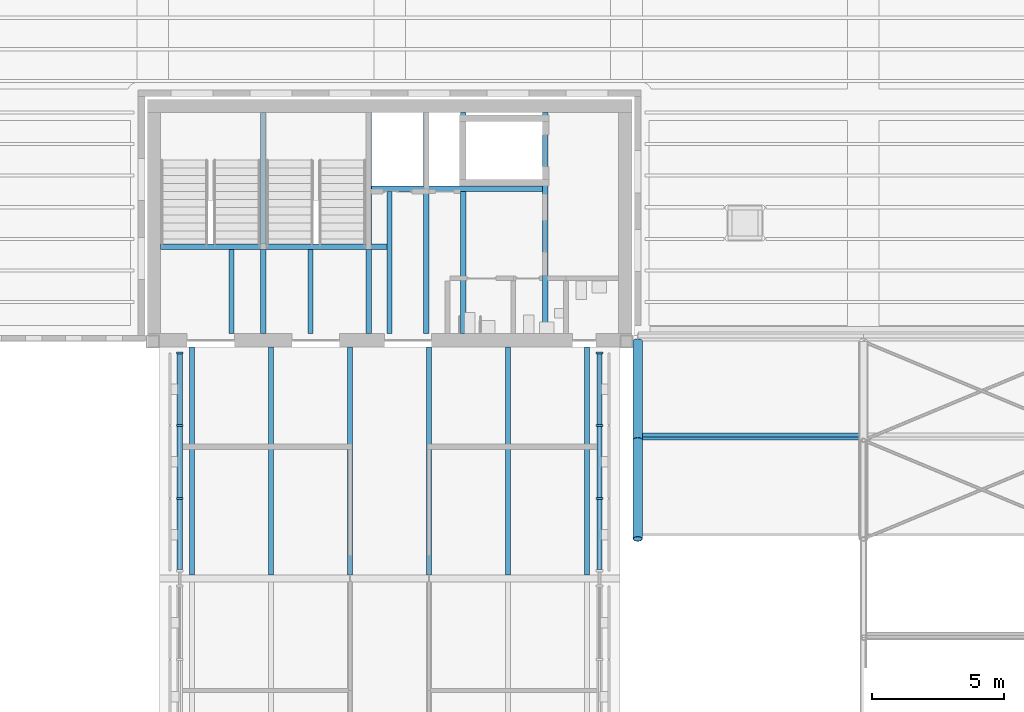
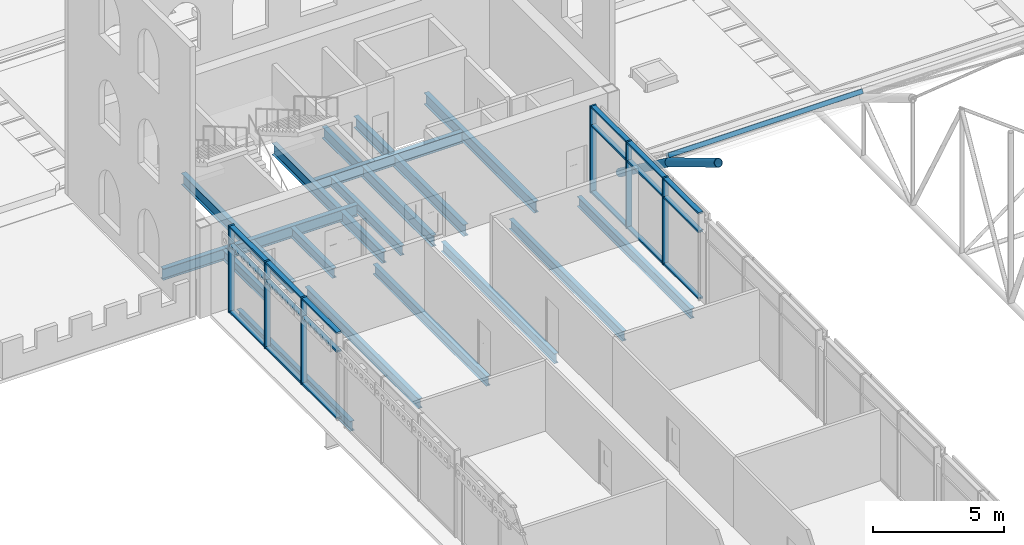
# One storey, part 38 of 153: 27 members, 20 beams, 2 elements without a shape of their own.
"""IFC4 building model written with IfcOpenShell, lengths in metres."""

from ifc_helpers import new_model, si_unit, direction, frame, origin, origin_2d, place, context, subcontext, project, spatial, rectangle, hollow_rectangle, hollow_circle, i_section, extrude, material, material_profile, profile_set, type_object, element, aggregate, save


model = new_model("IFC4")

# Units and contexts
model_context = context("Model", 3, precision=1e-05, world=origin(), true_north=direction((0.0, 1.0)))
body_context = subcontext(model_context, "Body", "Model", "MODEL_VIEW")
ifc_project = project(units=[si_unit("LENGTHUNIT", "METRE"), si_unit("AREAUNIT", "SQUARE_METRE"), si_unit("VOLUMEUNIT", "CUBIC_METRE"), si_unit("PLANEANGLEUNIT", "RADIAN"), si_unit("MASSUNIT", "GRAM", prefix="KILO")], contexts=[model_context])

# Site, building, storey
site_placement = place(None, origin())
site = spatial("IfcSite", under=ifc_project, at=site_placement, CompositionType="ELEMENT")
building_placement = place(site_placement, origin())
building = spatial("IfcBuilding", under=site, at=building_placement, Name="Baradari Gate Terminus", CompositionType="ELEMENT")
storey_placement = place(building_placement, frame((0.0, 0.0, 11.699951171875)))
storey = spatial("IfcBuildingStorey", under=building, at=storey_placement, Name="L02", CompositionType="ELEMENT", Elevation=11.699951171875)

# Beams
ifc_material_1 = material(Name="Steel S355", Category="steel")
ifc_material_profile_1 = material_profile(ifc_material_1, i_section(OverallWidth=0.19140625, OverallDepth=0.4599609375, WebThickness=0.010009765625, FlangeThickness=0.01611328125, FilletRadius=0.01025390625, at=origin_2d()), Name="UB 457x191x82")
ifc_profile_set_1 = profile_set([ifc_material_profile_1], Name="Steel S355")
beam_type_1 = type_object("IfcBeamType", Name="Core floor beam B66 UB 457x191x82", PredefinedType="BEAM", material=ifc_profile_set_1)
for number, where, z_axis, x_axis, name in (
    (1, (75.0, 81.300048828125, -0.3798828125), (0.0, 1.0, 0.0), (-1.0, 0.0, 0.0), "Core floor beam B66 75:81.3-84.495 L02"),
    (2, (78.0, 81.300048828125, -0.3798828125), (0.0, 1.0, 0.0), (-1.0, 0.0, 0.0), "Core floor beam B66 78:81.3-84.495 L02"),
):
    element("IfcBeam", number, at=place(storey_placement, frame(where, z_axis=z_axis, x_axis=x_axis)), inside=storey, type_object=beam_type_1, Name=name, PredefinedType="BEAM", context=body_context, shape_type="SweptSolid", body=[
        extrude(i_section(OverallWidth=0.19140625, OverallDepth=0.4599609375, WebThickness=0.010009765625, FlangeThickness=0.01611328125, FilletRadius=0.01025390625, at=origin_2d()), origin(), (0.0, 0.0, 1.0), 3.1953125),
    ])
beam_1_placement = place(storey_placement, frame((81.0, 81.300048828125, -0.3798828125), z_axis=(0.0, 1.0, 0.0), x_axis=(-1.0, 0.0, 0.0)))
element("IfcBeam", 3, at=beam_1_placement, inside=storey, type_object=beam_type_1, Name="Core floor beam B66 10:81.3-86.695 L02", PredefinedType="BEAM", context=body_context, shape_type="SweptSolid", body=[
    extrude(i_section(OverallWidth=0.19140625, OverallDepth=0.4599609375, WebThickness=0.010009765625, FlangeThickness=0.01611328125, FilletRadius=0.01025390625, at=origin_2d()), origin(), (0.0, 0.0, 1.0), 5.395263671875),
])
ifc_material_2 = material(Name="Steel S355", Category="steel")
ifc_material_profile_2 = material_profile(ifc_material_2, i_section(OverallWidth=0.209228515625, OverallDepth=0.533203125, WebThickness=0.010009765625, FlangeThickness=0.015625, FilletRadius=0.0126953125, at=origin_2d()), Name="UB 533x210x92")
ifc_profile_set_2 = profile_set([ifc_material_profile_2], Name="Steel S355")
beam_type_2 = type_object("IfcBeamType", Name="Core floor trimmer beam B65 UB 533x210x92", PredefinedType="BEAM", material=ifc_profile_set_2)
beam_2_placement = place(storey_placement, frame((72.300048828125, 84.60009765625, -0.41650390625), z_axis=(1.0, 0.0, 0.0), x_axis=(0.0, 1.0, 0.0)))
element("IfcBeam", 4, at=beam_2_placement, inside=storey, type_object=beam_type_2, Name="Core floor trimmer beam B65 84.6:72.3-80.904 L02", PredefinedType="BEAM", context=body_context, shape_type="SweptSolid", body=[
    extrude(i_section(OverallWidth=0.209228515625, OverallDepth=0.533203125, WebThickness=0.010009765625, FlangeThickness=0.015625, FilletRadius=0.0126953125, at=origin_2d()), origin(), (0.0, 0.0, 1.0), 8.604248046875),
])
beam_3_placement = place(storey_placement, frame((80.3046875, 86.800048828125, -0.41650390625), z_axis=(1.0, 0.0, 0.0), x_axis=(0.0, 1.0, 0.0)))
element("IfcBeam", 5, at=beam_3_placement, inside=storey, type_object=beam_type_2, Name="Core floor trimmer beam B65 86.8:80.305-86.8 L02", PredefinedType="BEAM", context=body_context, shape_type="SweptSolid", body=[
    extrude(i_section(OverallWidth=0.209228515625, OverallDepth=0.533203125, WebThickness=0.010009765625, FlangeThickness=0.015625, FilletRadius=0.0126953125, at=origin_2d()), origin(), (0.0, 0.0, 1.0), 6.49560546875),
])
beam_4_placement = place(storey_placement, frame((86.905029296875, 81.300048828125, -0.41650390625), z_axis=(0.0, 1.0, 0.0), x_axis=(-1.0, 0.0, 0.0)))
element("IfcBeam", 6, at=beam_4_placement, inside=storey, type_object=beam_type_2, Name="Core floor trimmer beam B65 86.905:81.3-89.7 L02", PredefinedType="BEAM", context=body_context, shape_type="SweptSolid", body=[
    extrude(i_section(OverallWidth=0.209228515625, OverallDepth=0.533203125, WebThickness=0.010009765625, FlangeThickness=0.015625, FilletRadius=0.0126953125, at=origin_2d()), origin(), (0.0, 0.0, 1.0), 8.39990234375),
])
beam_5_placement = place(storey_placement, frame((76.199951171875, 81.300048828125, -0.41650390625), z_axis=(0.0, 1.0, 0.0), x_axis=(-1.0, 0.0, 0.0)))
element("IfcBeam", 7, at=beam_5_placement, inside=storey, type_object=beam_type_2, Name="Core floor trimmer beam B65 76.2:81.3-84.495 L02", PredefinedType="BEAM", context=body_context, shape_type="SweptSolid", body=[
    extrude(i_section(OverallWidth=0.209228515625, OverallDepth=0.533203125, WebThickness=0.010009765625, FlangeThickness=0.015625, FilletRadius=0.0126953125, at=origin_2d()), origin(), (0.0, 0.0, 1.0), 3.1953125),
])
beam_6_placement = place(storey_placement, frame((76.199951171875, 84.70458984375, -0.41650390625), z_axis=(0.0, 1.0, 0.0), x_axis=(-1.0, 0.0, 0.0)))
element("IfcBeam", 8, at=beam_6_placement, inside=storey, type_object=beam_type_2, Name="Core floor trimmer beam B65 76.2:84.705-89.7 L02", PredefinedType="BEAM", context=body_context, shape_type="SweptSolid", body=[
    extrude(i_section(OverallWidth=0.209228515625, OverallDepth=0.533203125, WebThickness=0.010009765625, FlangeThickness=0.015625, FilletRadius=0.0126953125, at=origin_2d()), origin(), (0.0, 0.0, 1.0), 4.995361328125),
])
beam_7_placement = place(storey_placement, frame((80.199951171875, 81.300048828125, -0.41650390625), z_axis=(0.0, 1.0, 0.0), x_axis=(-1.0, 0.0, 0.0)))
element("IfcBeam", 9, at=beam_7_placement, inside=storey, type_object=beam_type_2, Name="Core floor trimmer beam B65 80.2:81.3-84.495 L02", PredefinedType="BEAM", context=body_context, shape_type="SweptSolid", body=[
    extrude(i_section(OverallWidth=0.209228515625, OverallDepth=0.533203125, WebThickness=0.010009765625, FlangeThickness=0.015625, FilletRadius=0.0126953125, at=origin_2d()), origin(), (0.0, 0.0, 1.0), 3.1953125),
])
beam_8_placement = place(storey_placement, frame((80.199951171875, 84.70458984375, -0.41650390625), z_axis=(0.0, 1.0, 0.0), x_axis=(-1.0, 0.0, 0.0)))
element("IfcBeam", 10, at=beam_8_placement, inside=storey, type_object=beam_type_2, Name="Core floor trimmer beam B65 80.2:84.705-89.7 L02", PredefinedType="BEAM", context=body_context, shape_type="SweptSolid", body=[
    extrude(i_section(OverallWidth=0.209228515625, OverallDepth=0.533203125, WebThickness=0.010009765625, FlangeThickness=0.015625, FilletRadius=0.0126953125, at=origin_2d()), origin(), (0.0, 0.0, 1.0), 4.995361328125),
])
beam_9_placement = place(storey_placement, frame((82.39990234375, 81.300048828125, -0.41650390625), z_axis=(0.0, 1.0, 0.0), x_axis=(-1.0, 0.0, 0.0)))
element("IfcBeam", 11, at=beam_9_placement, inside=storey, type_object=beam_type_2, Name="Core floor trimmer beam B65 82.4:81.3-86.695 L02", PredefinedType="BEAM", context=body_context, shape_type="SweptSolid", body=[
    extrude(i_section(OverallWidth=0.209228515625, OverallDepth=0.533203125, WebThickness=0.010009765625, FlangeThickness=0.015625, FilletRadius=0.0126953125, at=origin_2d()), origin(), (0.0, 0.0, 1.0), 5.395263671875),
])
beam_10_placement = place(storey_placement, frame((82.39990234375, 86.90478515625, -0.41650390625), z_axis=(0.0, 1.0, 0.0), x_axis=(-1.0, 0.0, 0.0)))
element("IfcBeam", 12, at=beam_10_placement, inside=storey, type_object=beam_type_2, Name="Core floor trimmer beam B65 82.4:86.905-89.7 L02", PredefinedType="BEAM", context=body_context, shape_type="SweptSolid", body=[
    extrude(i_section(OverallWidth=0.209228515625, OverallDepth=0.533203125, WebThickness=0.010009765625, FlangeThickness=0.015625, FilletRadius=0.0126953125, at=origin_2d()), origin(), (0.0, 0.0, 1.0), 2.795166015625),
])
beam_11_placement = place(storey_placement, frame((83.800048828125, 81.300048828125, -0.41650390625), z_axis=(0.0, 1.0, 0.0), x_axis=(-1.0, 0.0, 0.0)))
element("IfcBeam", 13, at=beam_11_placement, inside=storey, type_object=beam_type_2, Name="Core floor trimmer beam B65 83.8:81.3-86.695 L02", PredefinedType="BEAM", context=body_context, shape_type="SweptSolid", body=[
    extrude(i_section(OverallWidth=0.209228515625, OverallDepth=0.533203125, WebThickness=0.010009765625, FlangeThickness=0.015625, FilletRadius=0.0126953125, at=origin_2d()), origin(), (0.0, 0.0, 1.0), 5.395263671875),
])
beam_12_placement = place(storey_placement, frame((83.800048828125, 86.90478515625, -0.41650390625), z_axis=(0.0, 1.0, 0.0), x_axis=(-1.0, 0.0, 0.0)))
element("IfcBeam", 14, at=beam_12_placement, inside=storey, type_object=beam_type_2, Name="Core floor trimmer beam B65 83.8:86.905-89.7 L02", PredefinedType="BEAM", context=body_context, shape_type="SweptSolid", body=[
    extrude(i_section(OverallWidth=0.209228515625, OverallDepth=0.533203125, WebThickness=0.010009765625, FlangeThickness=0.015625, FilletRadius=0.0126953125, at=origin_2d()), origin(), (0.0, 0.0, 1.0), 2.795166015625),
])

# Curtain wall, members
ifc_material_3 = material(Name="Aluminium 6063-T6", Category="aluminium")
curtain_wall_type = type_object("IfcCurtainWallType", Name="Curtain wall CW-3 gate face, office floors", PredefinedType="NOTDEFINED", material=ifc_material_3)
curtain_wall_1_placement = place(storey_placement, origin())
curtain_wall_1 = element("IfcCurtainWall", 15, at=curtain_wall_1_placement, inside=storey, type_object=curtain_wall_type, Name="Curtain wall CW-3 gate west face L02 bay 5", PredefinedType="NOTDEFINED")
ifc_material_4 = material(Name="Aluminium 6063-T6", Category="aluminium")
ifc_material_profile_3 = material_profile(ifc_material_4, rectangle(XDim=0.25, YDim=0.080078125, at=origin_2d()), Name="CM-3 80X250")
ifc_profile_set_3 = profile_set([ifc_material_profile_3], Name="Aluminium 6063-T6")
member_type_1 = type_object("IfcMemberType", Name="Curtain wall mullion CM-3 80x250", PredefinedType="MULLION", material=ifc_profile_set_3)
member_1_placement = place(storey_placement, frame((73.02490234375, 75.033447265625, 0.0), z_axis=(0.0, 0.0, 1.0), x_axis=(-1.0, 0.0, 0.0)))
member_1 = element("IfcMember", 16, at=member_1_placement, type_object=member_type_1, Name="CW-3 mullion 2", PredefinedType="MULLION", context=body_context, shape_type="SweptSolid", body=[
    extrude(rectangle(XDim=0.25, YDim=0.080078125, at=origin_2d()), origin(), (0.0, 0.0, 1.0), 4.050048828125),
])
member_2_placement = place(storey_placement, frame((73.02490234375, 77.816650390625, 0.0), z_axis=(0.0, 0.0, 1.0), x_axis=(-1.0, 0.0, 0.0)))
member_2 = element("IfcMember", 17, at=member_2_placement, type_object=member_type_1, Name="CW-3 mullion 3", PredefinedType="MULLION", context=body_context, shape_type="SweptSolid", body=[
    extrude(rectangle(XDim=0.25, YDim=0.080078125, at=origin_2d()), origin(), (0.0, 0.0, 1.0), 4.050048828125),
])
member_3_placement = place(storey_placement, frame((73.02490234375, 80.56005859375, 0.0), z_axis=(0.0, 0.0, 1.0), x_axis=(-1.0, 0.0, 0.0)))
member_3 = element("IfcMember", 18, at=member_3_placement, type_object=member_type_1, Name="CW-3 mullion 4", PredefinedType="MULLION", context=body_context, shape_type="SweptSolid", body=[
    extrude(rectangle(XDim=0.25, YDim=0.080078125, at=origin_2d()), origin(), (0.0, 0.0, 1.0), 4.050048828125),
])

curtain_wall_2_placement = place(storey_placement, origin())
curtain_wall_2 = element("IfcCurtainWall", 19, at=curtain_wall_2_placement, inside=storey, type_object=curtain_wall_type, Name="Curtain wall CW-3 gate east face L02 bay 5", PredefinedType="NOTDEFINED")
member_4_placement = place(storey_placement, frame((88.97509765625, 75.033447265625, 0.0), z_axis=(0.0, 0.0, 1.0), x_axis=(-1.0, 0.0, 0.0)))
member_4 = element("IfcMember", 20, at=member_4_placement, type_object=member_type_1, Name="CW-3 mullion 2", PredefinedType="MULLION", context=body_context, shape_type="SweptSolid", body=[
    extrude(rectangle(XDim=0.25, YDim=0.080078125, at=origin_2d()), origin(), (0.0, 0.0, 1.0), 4.050048828125),
])
member_5_placement = place(storey_placement, frame((88.97509765625, 77.816650390625, 0.0), z_axis=(0.0, 0.0, 1.0), x_axis=(-1.0, 0.0, 0.0)))
member_5 = element("IfcMember", 21, at=member_5_placement, type_object=member_type_1, Name="CW-3 mullion 3", PredefinedType="MULLION", context=body_context, shape_type="SweptSolid", body=[
    extrude(rectangle(XDim=0.25, YDim=0.080078125, at=origin_2d()), origin(), (0.0, 0.0, 1.0), 4.050048828125),
])
member_6_placement = place(storey_placement, frame((88.97509765625, 80.56005859375, 0.0), z_axis=(0.0, 0.0, 1.0), x_axis=(-1.0, 0.0, 0.0)))
member_6 = element("IfcMember", 22, at=member_6_placement, type_object=member_type_1, Name="CW-3 mullion 4", PredefinedType="MULLION", context=body_context, shape_type="SweptSolid", body=[
    extrude(rectangle(XDim=0.25, YDim=0.080078125, at=origin_2d()), origin(), (0.0, 0.0, 1.0), 4.050048828125),
])

# Member
ifc_material_5 = material(Name="Aluminium 6063-T6", Category="aluminium")
ifc_material_profile_4 = material_profile(ifc_material_5, rectangle(XDim=0.199951171875, YDim=0.080078125, at=origin_2d()), Name="CT-3 80X200")
ifc_profile_set_4 = profile_set([ifc_material_profile_4], Name="Aluminium 6063-T6")
member_type_2 = type_object("IfcMemberType", Name="Curtain wall transom CT-3 80x200", PredefinedType="USERDEFINED", material=ifc_profile_set_4)
member_7_placement = place(storey_placement, frame((73.02490234375, 72.330078125, 0.0400390625), z_axis=(0.0, 1.0, 0.0), x_axis=(-1.0, 0.0, 0.0)))
member_7 = element("IfcMember", 23, at=member_7_placement, type_object=member_type_2, Name="CW-3 transom 1.1", ObjectType="TRANSOM", PredefinedType="USERDEFINED", context=body_context, shape_type="SweptSolid", body=[
    extrude(rectangle(XDim=0.199951171875, YDim=0.080078125, at=origin_2d()), origin(), (0.0, 0.0, 1.0), 2.663330078125),
])

member_8_placement = place(storey_placement, frame((73.02490234375, 72.330078125, 3.150146484375), z_axis=(0.0, 1.0, 0.0), x_axis=(-1.0, 0.0, 0.0)))
member_8 = element("IfcMember", 24, at=member_8_placement, type_object=member_type_2, Name="CW-3 transom 1.2", ObjectType="TRANSOM", PredefinedType="USERDEFINED", context=body_context, shape_type="SweptSolid", body=[
    extrude(rectangle(XDim=0.199951171875, YDim=0.080078125, at=origin_2d()), origin(), (0.0, 0.0, 1.0), 2.663330078125),
])

member_9_placement = place(storey_placement, frame((73.02490234375, 72.330078125, 4.010009765625), z_axis=(0.0, 1.0, 0.0), x_axis=(-1.0, 0.0, 0.0)))
member_9 = element("IfcMember", 25, at=member_9_placement, type_object=member_type_2, Name="CW-3 transom 1.3", ObjectType="TRANSOM", PredefinedType="USERDEFINED", context=body_context, shape_type="SweptSolid", body=[
    extrude(rectangle(XDim=0.199951171875, YDim=0.080078125, at=origin_2d()), origin(), (0.0, 0.0, 1.0), 2.663330078125),
])

member_10_placement = place(storey_placement, frame((73.02490234375, 75.0732421875, 0.0400390625), z_axis=(0.0, 1.0, 0.0), x_axis=(-1.0, 0.0, 0.0)))
member_10 = element("IfcMember", 26, at=member_10_placement, type_object=member_type_2, Name="CW-3 transom 2.1", ObjectType="TRANSOM", PredefinedType="USERDEFINED", context=body_context, shape_type="SweptSolid", body=[
    extrude(rectangle(XDim=0.199951171875, YDim=0.080078125, at=origin_2d()), origin(), (0.0, 0.0, 1.0), 2.703369140625),
])

member_11_placement = place(storey_placement, frame((73.02490234375, 75.0732421875, 3.150146484375), z_axis=(0.0, 1.0, 0.0), x_axis=(-1.0, 0.0, 0.0)))
member_11 = element("IfcMember", 27, at=member_11_placement, type_object=member_type_2, Name="CW-3 transom 2.2", ObjectType="TRANSOM", PredefinedType="USERDEFINED", context=body_context, shape_type="SweptSolid", body=[
    extrude(rectangle(XDim=0.199951171875, YDim=0.080078125, at=origin_2d()), origin(), (0.0, 0.0, 1.0), 2.703369140625),
])

member_12_placement = place(storey_placement, frame((73.02490234375, 75.0732421875, 4.010009765625), z_axis=(0.0, 1.0, 0.0), x_axis=(-1.0, 0.0, 0.0)))
member_12 = element("IfcMember", 28, at=member_12_placement, type_object=member_type_2, Name="CW-3 transom 2.3", ObjectType="TRANSOM", PredefinedType="USERDEFINED", context=body_context, shape_type="SweptSolid", body=[
    extrude(rectangle(XDim=0.199951171875, YDim=0.080078125, at=origin_2d()), origin(), (0.0, 0.0, 1.0), 2.703369140625),
])

member_13_placement = place(storey_placement, frame((73.02490234375, 77.856689453125, 0.0400390625), z_axis=(0.0, 1.0, 0.0), x_axis=(-1.0, 0.0, 0.0)))
member_13 = element("IfcMember", 29, at=member_13_placement, type_object=member_type_2, Name="CW-3 transom 3.1", ObjectType="TRANSOM", PredefinedType="USERDEFINED", context=body_context, shape_type="SweptSolid", body=[
    extrude(rectangle(XDim=0.199951171875, YDim=0.080078125, at=origin_2d()), origin(), (0.0, 0.0, 1.0), 2.663330078125),
])

member_14_placement = place(storey_placement, frame((73.02490234375, 77.856689453125, 3.150146484375), z_axis=(0.0, 1.0, 0.0), x_axis=(-1.0, 0.0, 0.0)))
member_14 = element("IfcMember", 30, at=member_14_placement, type_object=member_type_2, Name="CW-3 transom 3.2", ObjectType="TRANSOM", PredefinedType="USERDEFINED", context=body_context, shape_type="SweptSolid", body=[
    extrude(rectangle(XDim=0.199951171875, YDim=0.080078125, at=origin_2d()), origin(), (0.0, 0.0, 1.0), 2.663330078125),
])

member_15_placement = place(storey_placement, frame((73.02490234375, 77.856689453125, 4.010009765625), z_axis=(0.0, 1.0, 0.0), x_axis=(-1.0, 0.0, 0.0)))
member_15 = element("IfcMember", 31, at=member_15_placement, type_object=member_type_2, Name="CW-3 transom 3.3", ObjectType="TRANSOM", PredefinedType="USERDEFINED", context=body_context, shape_type="SweptSolid", body=[
    extrude(rectangle(XDim=0.199951171875, YDim=0.080078125, at=origin_2d()), origin(), (0.0, 0.0, 1.0), 2.663330078125),
])

aggregate(curtain_wall_1, [member_1, member_2, member_3, member_7, member_8, member_9, member_10, member_11, member_12, member_13, member_14, member_15])

member_16_placement = place(storey_placement, frame((88.97509765625, 72.330078125, 0.0400390625), z_axis=(0.0, 1.0, 0.0), x_axis=(-1.0, 0.0, 0.0)))
member_16 = element("IfcMember", 32, at=member_16_placement, type_object=member_type_2, Name="CW-3 transom 1.1", ObjectType="TRANSOM", PredefinedType="USERDEFINED", context=body_context, shape_type="SweptSolid", body=[
    extrude(rectangle(XDim=0.199951171875, YDim=0.080078125, at=origin_2d()), origin(), (0.0, 0.0, 1.0), 2.663330078125),
])

member_17_placement = place(storey_placement, frame((88.97509765625, 72.330078125, 3.150146484375), z_axis=(0.0, 1.0, 0.0), x_axis=(-1.0, 0.0, 0.0)))
member_17 = element("IfcMember", 33, at=member_17_placement, type_object=member_type_2, Name="CW-3 transom 1.2", ObjectType="TRANSOM", PredefinedType="USERDEFINED", context=body_context, shape_type="SweptSolid", body=[
    extrude(rectangle(XDim=0.199951171875, YDim=0.080078125, at=origin_2d()), origin(), (0.0, 0.0, 1.0), 2.663330078125),
])

member_18_placement = place(storey_placement, frame((88.97509765625, 72.330078125, 4.010009765625), z_axis=(0.0, 1.0, 0.0), x_axis=(-1.0, 0.0, 0.0)))
member_18 = element("IfcMember", 34, at=member_18_placement, type_object=member_type_2, Name="CW-3 transom 1.3", ObjectType="TRANSOM", PredefinedType="USERDEFINED", context=body_context, shape_type="SweptSolid", body=[
    extrude(rectangle(XDim=0.199951171875, YDim=0.080078125, at=origin_2d()), origin(), (0.0, 0.0, 1.0), 2.663330078125),
])

member_19_placement = place(storey_placement, frame((88.97509765625, 75.0732421875, 0.0400390625), z_axis=(0.0, 1.0, 0.0), x_axis=(-1.0, 0.0, 0.0)))
member_19 = element("IfcMember", 35, at=member_19_placement, type_object=member_type_2, Name="CW-3 transom 2.1", ObjectType="TRANSOM", PredefinedType="USERDEFINED", context=body_context, shape_type="SweptSolid", body=[
    extrude(rectangle(XDim=0.199951171875, YDim=0.080078125, at=origin_2d()), origin(), (0.0, 0.0, 1.0), 2.703369140625),
])

member_20_placement = place(storey_placement, frame((88.97509765625, 75.0732421875, 3.150146484375), z_axis=(0.0, 1.0, 0.0), x_axis=(-1.0, 0.0, 0.0)))
member_20 = element("IfcMember", 36, at=member_20_placement, type_object=member_type_2, Name="CW-3 transom 2.2", ObjectType="TRANSOM", PredefinedType="USERDEFINED", context=body_context, shape_type="SweptSolid", body=[
    extrude(rectangle(XDim=0.199951171875, YDim=0.080078125, at=origin_2d()), origin(), (0.0, 0.0, 1.0), 2.703369140625),
])

member_21_placement = place(storey_placement, frame((88.97509765625, 75.0732421875, 4.010009765625), z_axis=(0.0, 1.0, 0.0), x_axis=(-1.0, 0.0, 0.0)))
member_21 = element("IfcMember", 37, at=member_21_placement, type_object=member_type_2, Name="CW-3 transom 2.3", ObjectType="TRANSOM", PredefinedType="USERDEFINED", context=body_context, shape_type="SweptSolid", body=[
    extrude(rectangle(XDim=0.199951171875, YDim=0.080078125, at=origin_2d()), origin(), (0.0, 0.0, 1.0), 2.703369140625),
])

member_22_placement = place(storey_placement, frame((88.97509765625, 77.856689453125, 0.0400390625), z_axis=(0.0, 1.0, 0.0), x_axis=(-1.0, 0.0, 0.0)))
member_22 = element("IfcMember", 38, at=member_22_placement, type_object=member_type_2, Name="CW-3 transom 3.1", ObjectType="TRANSOM", PredefinedType="USERDEFINED", context=body_context, shape_type="SweptSolid", body=[
    extrude(rectangle(XDim=0.199951171875, YDim=0.080078125, at=origin_2d()), origin(), (0.0, 0.0, 1.0), 2.663330078125),
])

member_23_placement = place(storey_placement, frame((88.97509765625, 77.856689453125, 3.150146484375), z_axis=(0.0, 1.0, 0.0), x_axis=(-1.0, 0.0, 0.0)))
member_23 = element("IfcMember", 39, at=member_23_placement, type_object=member_type_2, Name="CW-3 transom 3.2", ObjectType="TRANSOM", PredefinedType="USERDEFINED", context=body_context, shape_type="SweptSolid", body=[
    extrude(rectangle(XDim=0.199951171875, YDim=0.080078125, at=origin_2d()), origin(), (0.0, 0.0, 1.0), 2.663330078125),
])

member_24_placement = place(storey_placement, frame((88.97509765625, 77.856689453125, 4.010009765625), z_axis=(0.0, 1.0, 0.0), x_axis=(-1.0, 0.0, 0.0)))
member_24 = element("IfcMember", 40, at=member_24_placement, type_object=member_type_2, Name="CW-3 transom 3.3", ObjectType="TRANSOM", PredefinedType="USERDEFINED", context=body_context, shape_type="SweptSolid", body=[
    extrude(rectangle(XDim=0.199951171875, YDim=0.080078125, at=origin_2d()), origin(), (0.0, 0.0, 1.0), 2.663330078125),
])

aggregate(curtain_wall_2, [member_4, member_5, member_6, member_16, member_17, member_18, member_19, member_20, member_21, member_22, member_23, member_24])

# Beams
ifc_material_6 = material(Name="Steel S355", Category="steel")
ifc_material_profile_5 = material_profile(ifc_material_6, i_section(OverallWidth=0.19140625, OverallDepth=0.4599609375, WebThickness=0.010009765625, FlangeThickness=0.01611328125, FilletRadius=0.01025390625, at=origin_2d()), Name="UB 457x191x82")
ifc_profile_set_5 = profile_set([ifc_material_profile_5], Name="Steel S355")
beam_type_3 = type_object("IfcBeamType", Name="Gate secondary beam B31 UB 457x191x82", PredefinedType="BEAM", material=ifc_profile_set_5)
for number, where, z_axis, x_axis, name in (
    (41, (73.5, 72.13330078125, -0.3798828125), (0.0, 1.0, 0.0), (-1.0, 0.0, 0.0), "Gate secondary beam B31 73.5:72.133-80.8 L02"),
    (42, (76.5, 72.13330078125, -0.3798828125), (0.0, 1.0, 0.0), (-1.0, 0.0, 0.0), "Gate secondary beam B31 76.5:72.133-80.8 L02"),
    (43, (79.5, 72.13330078125, -0.3798828125), (0.0, 1.0, 0.0), (-1.0, 0.0, 0.0), "Gate secondary beam B31 79.5:72.133-80.8 L02"),
    (44, (82.5, 72.13330078125, -0.3798828125), (0.0, 1.0, 0.0), (-1.0, 0.0, 0.0), "Gate secondary beam B31 82.5:72.133-80.8 L02"),
    (45, (85.5, 72.13330078125, -0.3798828125), (0.0, 1.0, 0.0), (-1.0, 0.0, 0.0), "Gate secondary beam B31 85.5:72.133-80.8 L02"),
    (46, (88.5, 72.13330078125, -0.3798828125), (0.0, 1.0, 0.0), (-1.0, 0.0, 0.0), "Gate secondary beam B31 88.5:72.133-80.8 L02"),
):
    element("IfcBeam", number, at=place(storey_placement, frame(where, z_axis=z_axis, x_axis=x_axis)), inside=storey, type_object=beam_type_3, Name=name, PredefinedType="BEAM", context=body_context, shape_type="SweptSolid", body=[
        extrude(i_section(OverallWidth=0.19140625, OverallDepth=0.4599609375, WebThickness=0.010009765625, FlangeThickness=0.01611328125, FilletRadius=0.01025390625, at=origin_2d()), origin(), (0.0, 0.0, 1.0), 8.666748046875),
    ])

# Members
ifc_material_7 = material(Name="Steel S355", Category="steel")
ifc_material_profile_6 = material_profile(ifc_material_7, hollow_circle(Radius=0.177734375, WallThickness=0.01611328125, at=origin_2d()), Name="CHS 355.6x16")
ifc_profile_set_6 = profile_set([ifc_material_profile_6], Name="Steel S355")
member_type_3 = type_object("IfcMemberType", Name="Shed abutment rail CHS 355.6x16", PredefinedType="CHORD", material=ifc_profile_set_6)
member_25_placement = place(storey_placement, frame((90.427734375, 73.5, 5.136474609375), z_axis=(0.0, 0.857492925713, -0.514495755428), x_axis=(-1.0, 0.0, 0.0)))
element("IfcMember", 47, at=member_25_placement, inside=storey, type_object=member_type_3, Name="TR/L02/LR10", PredefinedType="CHORD", context=body_context, shape_type="SweptSolid", body=[
    extrude(hollow_circle(Radius=0.177734375, WallThickness=0.01611328125, at=origin_2d()), origin(), (0.0, 0.0, 1.0), 4.373291015625),
])
member_26_placement = place(storey_placement, frame((90.427734375, 77.25, 2.886474609375), z_axis=(0.0, 0.806404995856, -0.591363663628), x_axis=(-1.0, 0.0, 0.0)))
element("IfcMember", 48, at=member_26_placement, inside=storey, type_object=member_type_3, Name="TR/L02/LR11", PredefinedType="CHORD", context=body_context, shape_type="SweptSolid", body=[
    extrude(hollow_circle(Radius=0.177734375, WallThickness=0.01611328125, at=origin_2d()), origin(), (0.0, 0.0, 1.0), 4.650390625),
])
ifc_material_8 = material(Name="Steel S355", Category="steel")
ifc_material_profile_7 = material_profile(ifc_material_8, hollow_rectangle(XDim=0.199951171875, YDim=0.199951171875, WallThickness=0.008056640625, InnerFilletRadius=0.008056640625, OuterFilletRadius=0.01611328125, at=origin_2d()), Name="SHS 200x200x8")
ifc_profile_set_7 = profile_set([ifc_material_profile_7], Name="Steel S355")
member_type_4 = type_object("IfcMemberType", Name="Shed purlin SHS 200x200x8", PredefinedType="PURLIN", material=ifc_profile_set_7)
member_27_placement = place(storey_placement, frame((90.427734375, 77.397216796875, 3.10791015625), z_axis=(1.0, 0.0, 0.0), x_axis=(0.0, 0.832836263724, -0.55351942859)))
element("IfcMember", 49, at=member_27_placement, inside=storey, type_object=member_type_4, Name="TR/L02/B99-PU11", PredefinedType="PURLIN", context=body_context, shape_type="SweptSolid", body=[
    extrude(hollow_rectangle(XDim=0.199951171875, YDim=0.199951171875, WallThickness=0.008056640625, InnerFilletRadius=0.008056640625, OuterFilletRadius=0.01611328125, at=origin_2d()), origin(), (0.0, 0.0, 1.0), 8.572265625),
])

save(model, "model.ifc")
